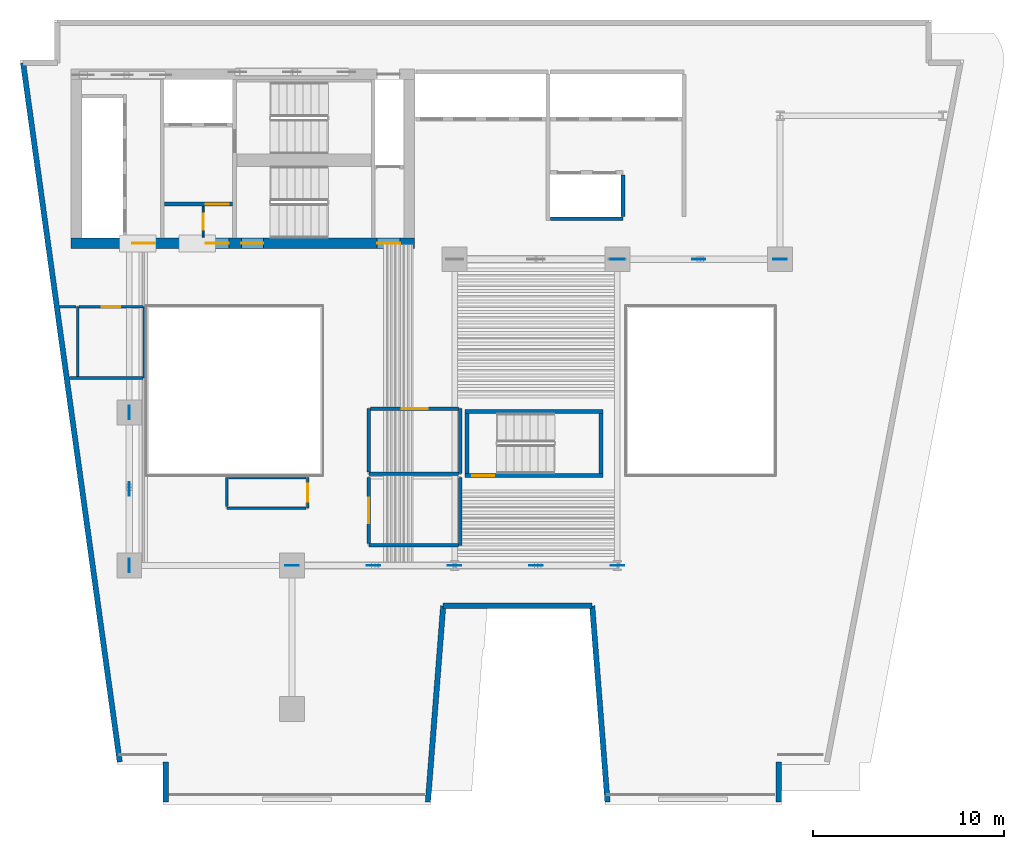
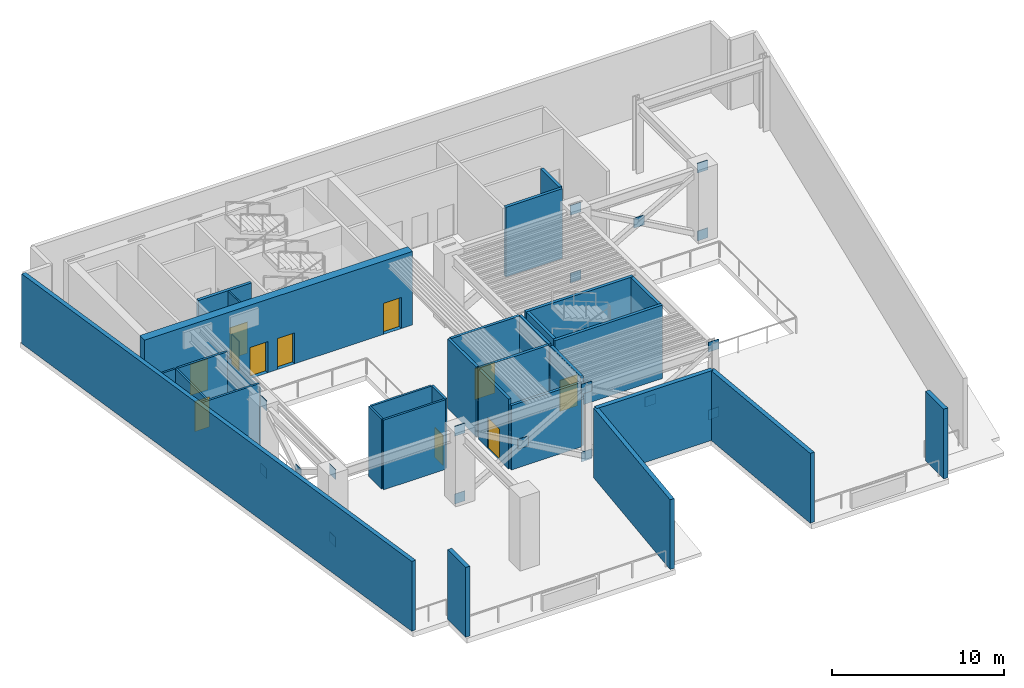
# One storey, part 3 of 8: 31 walls, 18 plates, 11 doors, 11 openings.
"""IFC4 building model written with IfcOpenShell, lengths in metres."""

from ifc_helpers import new_model, si_unit, direction, frame, frame_2d, origin, origin_2d, place, context, subcontext, project, spatial, rectangle, extrude, material, layer, layer_set, type_object, element, fill, save


model = new_model("IFC4")

# Units and contexts
model_context = context("Model", 3, precision=1e-05, world=origin(), true_north=direction((0.0, 1.0)))
body_context = subcontext(model_context, "Body", "Model", "MODEL_VIEW")
ifc_project = project(units=[si_unit("LENGTHUNIT", "METRE"), si_unit("AREAUNIT", "SQUARE_METRE"), si_unit("VOLUMEUNIT", "CUBIC_METRE"), si_unit("PLANEANGLEUNIT", "RADIAN"), si_unit("MASSUNIT", "GRAM", prefix="KILO")], contexts=[model_context])

# Site, building, storey
site_placement = place(None, origin())
site = spatial("IfcSite", under=ifc_project, at=site_placement, CompositionType="ELEMENT")
building_placement = place(site_placement, origin())
building = spatial("IfcBuilding", under=site, at=building_placement, Name="Caeloran Harvest Quay", CompositionType="ELEMENT")
storey_placement = place(building_placement, frame((0.0, 0.0, 106.199951171875)))
storey = spatial("IfcBuildingStorey", under=building, at=storey_placement, Name="L24", CompositionType="ELEMENT", Elevation=106.199951171875)

# Plates
ifc_material_1 = material(Name="Steel HISTAR 460", Category="steel")
ifc_layer_1 = layer(ifc_material_1, 0.034912109375, Name="Steel HISTAR 460")
ifc_layer_set_1 = layer_set([ifc_layer_1], Name="Steel HISTAR 460")
plate_type = type_object("IfcPlateType", Name="PLT-KN1-35MM", PredefinedType="SHEET", material=ifc_layer_set_1)
for number, where, z_axis, x_axis, name in (
    (1, (8.5, 15.0, -0.2900390625), (0.0, 0.0, 1.0), (0.0, 1.0, 0.0), "L24 Belt Truss Node and X-Crossing Plate BELT-W1 A-BOT"),
    (2, (8.5, 15.0, 4.51025390625), (0.0, 0.0, 1.0), (0.0, 1.0, 0.0), "L24 Belt Truss Node and X-Crossing Plate BELT-W1 A-TOP"),
    (3, (8.5, 19.0, 2.10986328125), (0.0, 0.0, 1.0), (0.0, 1.0, 0.0), "L24 Belt Truss Node and X-Crossing Plate BELT-W1 XMID"),
    (4, (8.5, 23.0, 4.51025390625), (0.0, 0.0, 1.0), (0.0, 1.0, 0.0), "L24 Belt Truss Node and X-Crossing Plate BELT-W1 B-TOP"),
    (5, (8.5, 23.0, -0.2900390625), (0.0, 0.0, 1.0), (0.0, 1.0, 0.0), "L24 Belt Truss Node and X-Crossing Plate BELT-W1 B-BOT"),
    (6, (17.0, 15.0, -0.2900390625), (0.0, 0.0, 1.0), (1.0, 0.0, 0.0), "L24 Belt Truss Node and X-Crossing Plate BELT-S2 A-BOT"),
    (7, (17.0, 15.0, 4.51025390625), (0.0, 0.0, 1.0), (1.0, 0.0, 0.0), "L24 Belt Truss Node and X-Crossing Plate BELT-S2 A-TOP"),
    (8, (21.25, 15.0, 2.10986328125), (0.0, 0.0, 1.0), (1.0, 0.0, 0.0), "L24 Belt Truss Node and X-Crossing Plate BELT-S2 XMID"),
    (9, (25.5, 15.0, 4.51025390625), (0.0, 0.0, 1.0), (1.0, 0.0, 0.0), "L24 Belt Truss Node and X-Crossing Plate BELT-S2 B-TOP"),
    (10, (25.5, 15.0, -0.2900390625), (0.0, 0.0, 1.0), (1.0, 0.0, 0.0), "L24 Belt Truss Node and X-Crossing Plate BELT-S2 B-BOT"),
    (11, (29.75, 15.0, 2.10986328125), (0.0, 0.0, 1.0), (1.0, 0.0, 0.0), "L24 Belt Truss Node and X-Crossing Plate BELT-S3 XMID"),
    (12, (34.0, 15.0, 4.51025390625), (0.0, 0.0, 1.0), (1.0, 0.0, 0.0), "L24 Belt Truss Node and X-Crossing Plate BELT-S3 B-TOP"),
    (13, (34.0, 15.0, -0.2900390625), (0.0, 0.0, 1.0), (1.0, 0.0, 0.0), "L24 Belt Truss Node and X-Crossing Plate BELT-S3 B-BOT"),
    (14, (34.0, 31.0, -0.2900390625), (0.0, 0.0, 1.0), (1.0, 0.0, 0.0), "L24 Belt Truss Node and X-Crossing Plate BELT-N2 A-BOT"),
    (15, (34.0, 31.0, 4.51025390625), (0.0, 0.0, 1.0), (1.0, 0.0, 0.0), "L24 Belt Truss Node and X-Crossing Plate BELT-N2 A-TOP"),
    (16, (38.25, 31.0, 2.10986328125), (0.0, 0.0, 1.0), (1.0, 0.0, 0.0), "L24 Belt Truss Node and X-Crossing Plate BELT-N2 XMID"),
    (17, (42.5, 31.0, 4.51025390625), (0.0, 0.0, 1.0), (1.0, 0.0, 0.0), "L24 Belt Truss Node and X-Crossing Plate BELT-N2 B-TOP"),
    (18, (42.5, 31.0, -0.2900390625), (0.0, 0.0, 1.0), (1.0, 0.0, 0.0), "L24 Belt Truss Node and X-Crossing Plate BELT-N2 B-BOT"),
):
    element("IfcPlate", number, at=place(storey_placement, frame(where, z_axis=z_axis, x_axis=x_axis)), inside=storey, type_object=plate_type, Name=name, PredefinedType="SHEET", context=body_context, shape_type="SweptSolid", body=[
        extrude(rectangle(XDim=0.699951171875, YDim=0.034912109375, at=origin_2d()), origin(), (0.0, 0.0, 1.0), 0.699951171875),
    ])

# Walls
ifc_material_2 = material(Name="Precast concrete C50/60", Category="concrete")
ifc_layer_2 = layer(ifc_material_2, 0.280029296875, Name="Precast concrete C50/60")
ifc_layer_set_2 = layer_set([ifc_layer_2], Name="Precast concrete C50/60")
wall_type_1 = type_object("IfcWallType", Name="ENV-WALL-EW-280", PredefinedType="STANDARD", material=ifc_layer_set_2)
wall_1_placement = place(storey_placement, frame((10.409912109375, 2.639892578125, 0.0), z_axis=(0.0, 0.0, 1.0), x_axis=(0.0, 1.0, 0.0)))
element("IfcWall", 19, at=wall_1_placement, inside=storey, type_object=wall_type_1, Name="L24 Exterior Precast Concrete Facade Wall 1", PredefinedType="STANDARD", context=body_context, shape_type="SweptSolid", body=[
    extrude(rectangle(XDim=2.10009765625, YDim=0.280029296875, at=frame_2d((1.050048828125, 0.0))), origin(), (0.0, 0.0, 1.0), 4.93994140625),
])
wall_2_placement = place(storey_placement, frame((8.001708984375, 4.739990234375, 0.0), z_axis=(0.0, 0.0, 1.0), x_axis=(-0.136991218313, 0.99057226193, 0.0)))
element("IfcWall", 20, at=wall_2_placement, inside=storey, type_object=wall_type_1, Name="L24 Exterior Precast Concrete Facade Wall 3", PredefinedType="STANDARD", context=body_context, shape_type="SweptSolid", body=[
    extrude(rectangle(XDim=36.86767578125, YDim=0.280029296875, at=frame_2d((18.433837890625, 0.0))), origin(), (0.0, 0.0, 1.0), 4.93994140625),
])
wall_3_placement = place(storey_placement, frame((42.429931640625, 4.739990234375, 0.0), z_axis=(0.0, 0.0, 1.0), x_axis=(0.0, -1.0, 0.0)))
element("IfcWall", 21, at=wall_3_placement, inside=storey, type_object=wall_type_1, Name="L24 Exterior Precast Concrete Facade Wall 11", PredefinedType="STANDARD", context=body_context, shape_type="SweptSolid", body=[
    extrude(rectangle(XDim=2.10009765625, YDim=0.280029296875, at=frame_2d((1.050048828125, 0.0))), origin(), (0.0, 0.0, 1.0), 4.93994140625),
])
wall_4_placement = place(storey_placement, frame((33.484619140625, 2.639892578125, 0.0), z_axis=(0.0, 0.0, 1.0), x_axis=(-0.077816860153, 0.996967670627, 0.0)))
element("IfcWall", 22, at=wall_4_placement, inside=storey, type_object=wall_type_1, Name="L24 Exterior Precast Concrete Facade Wall 13", PredefinedType="STANDARD", context=body_context, shape_type="SweptSolid", body=[
    extrude(rectangle(XDim=10.28125, YDim=0.280029296875, at=frame_2d((5.140625, 0.0))), origin(), (0.0, 0.0, 1.0), 4.93994140625),
])
wall_5_placement = place(storey_placement, frame((32.6845703125, 12.889892578125, 0.0), z_axis=(0.0, 0.0, 1.0), x_axis=(-1.0, 0.0, 0.0)))
element("IfcWall", 23, at=wall_5_placement, inside=storey, type_object=wall_type_1, Name="L24 Exterior Precast Concrete Facade Wall 14", PredefinedType="STANDARD", context=body_context, shape_type="SweptSolid", body=[
    extrude(rectangle(XDim=7.7841796875, YDim=0.280029296875, at=frame_2d((3.89208984375, 0.0))), origin(), (0.0, 0.0, 1.0), 4.93994140625),
])
wall_6_placement = place(storey_placement, frame((24.900390625, 12.889892578125, 0.0), z_axis=(0.0, 0.0, 1.0), x_axis=(-0.077793257511, -0.996969512616, 0.0)))
element("IfcWall", 24, at=wall_6_placement, inside=storey, type_object=wall_type_1, Name="L24 Exterior Precast Concrete Facade Wall 15", PredefinedType="STANDARD", context=body_context, shape_type="SweptSolid", body=[
    extrude(rectangle(XDim=10.28125, YDim=0.280029296875, at=frame_2d((5.140625, 0.0))), origin(), (0.0, 0.0, 1.0), 4.93994140625),
])

# Wall, opening, door
ifc_material_3 = material(Name="Fire-Resisting Gypsum Core Riser Partition", Category="gypsum")
ifc_layer_3 = layer(ifc_material_3, 0.10009765625, Name="Fire-Resisting Gypsum Core Riser Partition")
ifc_layer_set_3 = layer_set([ifc_layer_3], Name="Fire-Resisting Gypsum Core Riser Partition")
wall_type_2 = type_object("IfcWallType", Name="INT-WALL-PW-100", PredefinedType="PARTITIONING", material=ifc_layer_set_3)
wall_7_placement = place(storey_placement, frame((12.360107421875, 32.159912109375, 0.0), z_axis=(0.0, 0.0, 1.0), x_axis=(0.0, 1.0, 0.0)))
wall_7 = element("IfcWall", 25, at=wall_7_placement, inside=storey, type_object=wall_type_2, Name="L24 Core Store Partition Wall", PredefinedType="PARTITIONING", context=body_context, shape_type="SweptSolid", body=[
    extrude(rectangle(XDim=1.6201171875, YDim=0.10009765625, at=frame_2d((0.81005859375, 0.0))), origin(), (0.0, 0.0, 1.0), 4.93994140625),
])
opening_1_placement = place(wall_7_placement, frame((0.3798828125, 0.0, 0.0)))
opening_1 = element("IfcOpeningElement", 26, at=opening_1_placement, cuts=wall_7, Name="Opening SV-01", PredefinedType="OPENING", context=body_context, shape_type="SweptSolid", body=[
    extrude(rectangle(XDim=0.85009765625, YDim=2.10009765625, at=frame_2d((0.425048828125, 1.050048828125))), frame((0.0, 0.06005859375, 0.0), z_axis=(0.0, -1.0, 0.0), x_axis=(1.0, 0.0, 0.0)), (0.0, 0.0, 1.0), 0.1201171875),
])
ifc_material_4 = material(Name="Galvanized Painted Steel", Category="steel")
door_type_1 = type_object("IfcDoorType", Name="INTDOOR-SV-01", OperationType="NOTDEFINED", PredefinedType="DOOR", material=ifc_material_4)
door_1_placement = place(opening_1_placement, origin())
door_1 = element("IfcDoor", 27, at=door_1_placement, inside=storey, type_object=door_type_1, Name="L24 Core Service Room Access Door", OperationType="SINGLE_SWING_RIGHT", OverallHeight=2.10009765625, OverallWidth=0.85009765625, PredefinedType="DOOR", context=body_context, shape_type="SweptSolid", body=[
    extrude(rectangle(XDim=0.85009765625, YDim=2.10009765625, at=frame_2d((0.425048828125, 1.050048828125))), frame((0.0, 0.02490234375, 0.0), z_axis=(0.0, -1.0, 0.0), x_axis=(1.0, 0.0, 0.0)), (0.0, 0.0, 1.0), 0.050048828125),
])
fill(opening_1, door_1)

ifc_material_5 = material(Name="Moisture-Resistant Cement-Board Sanitary Partition", Category="gypsum")
ifc_layer_4 = layer(ifc_material_5, 0.139892578125, Name="Moisture-Resistant Cement-Board Sanitary Partition")
ifc_layer_set_4 = layer_set([ifc_layer_4], Name="Moisture-Resistant Cement-Board Sanitary Partition")
wall_type_3 = type_object("IfcWallType", Name="INT-WALL-PW-140", PredefinedType="PARTITIONING", material=ifc_layer_set_4)
wall_8_placement = place(storey_placement, frame((17.820068359375, 19.590087890625, 0.0), z_axis=(0.0, 0.0, 1.0), x_axis=(0.0, -1.0, 0.0)))
wall_8 = element("IfcWall", 28, at=wall_8_placement, inside=storey, type_object=wall_type_3, Name="L24 Refuge Male Washroom WC Partition Wall", PredefinedType="PARTITIONING", context=body_context, shape_type="SweptSolid", body=[
    extrude(rectangle(XDim=1.590087890625, YDim=0.139892578125, at=frame_2d((0.794921875, 0.0))), origin(), (0.0, 0.0, 1.0), 4.93994140625),
])
opening_2_placement = place(wall_8_placement, frame((0.320068359375, 0.0, 0.0)))
opening_2 = element("IfcOpeningElement", 29, at=opening_2_placement, cuts=wall_8, Name="Opening WC-01", PredefinedType="OPENING", context=body_context, shape_type="SweptSolid", body=[
    extrude(rectangle(XDim=0.949951171875, YDim=2.14990234375, at=frame_2d((0.47509765625, 1.074951171875))), frame((0.0, 0.080078125, 0.0), z_axis=(0.0, -1.0, 0.0), x_axis=(1.0, 0.0, 0.0)), (0.0, 0.0, 1.0), 0.159912109375),
])
ifc_material_6 = material(Name="High-Pressure Laminate Moisture-Resistant Timber", Category="wood")
door_type_2 = type_object("IfcDoorType", Name="INTDOOR-WC-01", OperationType="NOTDEFINED", PredefinedType="DOOR", material=ifc_material_6)
door_2_placement = place(opening_2_placement, origin())
door_2 = element("IfcDoor", 30, at=door_2_placement, inside=storey, type_object=door_type_2, Name="L24 Refuge Male Washroom WC Access Door", OperationType="SINGLE_SWING_LEFT", OverallHeight=2.14990234375, OverallWidth=0.949951171875, PredefinedType="DOOR", context=body_context, shape_type="SweptSolid", body=[
    extrude(rectangle(XDim=0.949951171875, YDim=2.14990234375, at=frame_2d((0.47509765625, 1.074951171875))), frame((0.0, 0.02490234375, 0.0), z_axis=(0.0, -1.0, 0.0), x_axis=(1.0, 0.0, 0.0)), (0.0, 0.0, 1.0), 0.050048828125),
])
fill(opening_2, door_2)

# Walls
wall_9_placement = place(storey_placement, frame((17.7451171875, 18.0, 0.0), z_axis=(0.0, 0.0, 1.0), x_axis=(-1.0, 0.0, 0.0)))
element("IfcWall", 31, at=wall_9_placement, inside=storey, type_object=wall_type_3, Name="L24 Refuge Male Washroom WC Partition Wall", PredefinedType="PARTITIONING", context=body_context, shape_type="SweptSolid", body=[
    extrude(rectangle(XDim=4.14501953125, YDim=0.139892578125, at=frame_2d((2.072509765625, 0.0))), origin(), (0.0, 0.0, 1.0), 4.93994140625),
])
wall_10_placement = place(storey_placement, frame((13.60009765625, 18.074951171875, 0.0), z_axis=(0.0, 0.0, 1.0), x_axis=(0.0, 1.0, 0.0)))
element("IfcWall", 32, at=wall_10_placement, inside=storey, type_object=wall_type_3, Name="L24 Refuge Male Washroom WC Partition Wall", PredefinedType="PARTITIONING", context=body_context, shape_type="SweptSolid", body=[
    extrude(rectangle(XDim=1.51513671875, YDim=0.139892578125, at=frame_2d((0.757568359375, 0.0))), origin(), (0.0, 0.0, 1.0), 4.93994140625),
])
wall_11_placement = place(storey_placement, frame((13.675048828125, 19.590087890625, 0.0), z_axis=(0.0, 0.0, 1.0), x_axis=(1.0, 0.0, 0.0)))
element("IfcWall", 33, at=wall_11_placement, inside=storey, type_object=wall_type_3, Name="L24 Refuge Male Washroom WC Partition Wall", PredefinedType="PARTITIONING", context=body_context, shape_type="SweptSolid", body=[
    extrude(rectangle(XDim=4.070068359375, YDim=0.139892578125, at=frame_2d((2.03515625, 0.0))), origin(), (0.0, 0.0, 1.0), 4.93994140625),
])
wall_12_placement = place(storey_placement, frame((9.2900390625, 28.52001953125, 0.0), z_axis=(0.0, 0.0, 1.0), x_axis=(0.0, -1.0, 0.0)))
element("IfcWall", 34, at=wall_12_placement, inside=storey, type_object=wall_type_3, Name="L24 Refuge Accessible Unisex Washroom WC Partition Wall", PredefinedType="PARTITIONING", context=body_context, shape_type="SweptSolid", body=[
    extrude(rectangle(XDim=3.719970703125, YDim=0.139892578125, at=frame_2d((1.85986328125, 0.0))), origin(), (0.0, 0.0, 1.0), 4.56494140625),
])
wall_13_placement = place(storey_placement, frame((9.215087890625, 24.800048828125, 0.0), z_axis=(0.0, 0.0, 1.0), x_axis=(-1.0, 0.0, 0.0)))
element("IfcWall", 35, at=wall_13_placement, inside=storey, type_object=wall_type_3, Name="L24 Refuge Accessible Unisex Washroom WC Partition Wall", PredefinedType="PARTITIONING", context=body_context, shape_type="SweptSolid", body=[
    extrude(rectangle(XDim=3.84130859375, YDim=0.139892578125, at=frame_2d((1.920654296875, 0.0))), origin(), (0.0, 0.0, 1.0), 4.93994140625),
])
wall_14_placement = place(storey_placement, frame((5.800048828125, 24.875, 0.0), z_axis=(0.0, 0.0, 1.0), x_axis=(0.0, 1.0, 0.0)))
element("IfcWall", 36, at=wall_14_placement, inside=storey, type_object=wall_type_3, Name="L24 Refuge Accessible Unisex Washroom WC Partition Wall", PredefinedType="PARTITIONING", context=body_context, shape_type="SweptSolid", body=[
    extrude(rectangle(XDim=3.64501953125, YDim=0.139892578125, at=frame_2d((1.822509765625, 0.0))), origin(), (0.0, 0.0, 1.0), 4.93994140625),
])
wall_15_placement = place(storey_placement, frame((4.859375, 28.52001953125, 0.0), z_axis=(0.0, 0.0, 1.0), x_axis=(1.0, 0.0, 0.0)))
element("IfcWall", 37, at=wall_15_placement, inside=storey, type_object=wall_type_3, Name="L24 Refuge Accessible Unisex Washroom WC Partition Wall", PredefinedType="PARTITIONING", context=body_context, shape_type="SweptSolid", body=[
    extrude(rectangle(XDim=0.86572265625, YDim=0.139892578125, at=frame_2d((0.432861328125, 0.0))), origin(), (0.0, 0.0, 1.0), 4.93994140625),
])

# Wall, opening, door
wall_16_placement = place(storey_placement, frame((5.875, 28.52001953125, 0.0), z_axis=(0.0, 0.0, 1.0), x_axis=(1.0, 0.0, 0.0)))
wall_16 = element("IfcWall", 38, at=wall_16_placement, inside=storey, type_object=wall_type_3, Name="L24 Refuge Accessible Unisex Washroom WC Partition Wall", PredefinedType="PARTITIONING", context=body_context, shape_type="SweptSolid", body=[
    extrude(rectangle(XDim=3.340087890625, YDim=0.139892578125, at=frame_2d((1.669921875, 0.0))), origin(), (0.0, 0.0, 1.0), 4.93994140625),
])
opening_3_placement = place(wall_16_placement, frame((1.195068359375, 0.0, 0.0)))
opening_3 = element("IfcOpeningElement", 39, at=opening_3_placement, cuts=wall_16, Name="Opening WC-01", PredefinedType="OPENING", context=body_context, shape_type="SweptSolid", body=[
    extrude(rectangle(XDim=0.949951171875, YDim=2.14990234375, at=frame_2d((0.47509765625, 1.074951171875))), frame((0.0, 0.080078125, 0.0), z_axis=(0.0, -1.0, 0.0), x_axis=(1.0, 0.0, 0.0)), (0.0, 0.0, 1.0), 0.159912109375),
])
door_3_placement = place(opening_3_placement, origin())
door_3 = element("IfcDoor", 40, at=door_3_placement, inside=storey, type_object=door_type_2, Name="L24 Refuge Accessible Unisex Washroom WC Access Door", OperationType="SINGLE_SWING_RIGHT", OverallHeight=2.14990234375, OverallWidth=0.949951171875, PredefinedType="DOOR", context=body_context, shape_type="SweptSolid", body=[
    extrude(rectangle(XDim=0.949951171875, YDim=2.14990234375, at=frame_2d((0.47509765625, 1.074951171875))), frame((0.0, 0.02490234375, 0.0), z_axis=(0.0, -1.0, 0.0), x_axis=(1.0, 0.0, 0.0)), (0.0, 0.0, 1.0), 0.050048828125),
])
fill(opening_3, door_3)

# Walls
ifc_material_7 = material(Name="Autoclaved Aerated Concrete Blockwork", Category="masonry")
ifc_layer_5 = layer(ifc_material_7, 0.179931640625, Name="Autoclaved Aerated Concrete Blockwork")
ifc_layer_set_5 = layer_set([ifc_layer_5], Name="Autoclaved Aerated Concrete Blockwork")
wall_type_4 = type_object("IfcWallType", Name="INT-WALL-PW-180", PredefinedType="PARTITIONING", material=ifc_layer_set_5)
wall_17_placement = place(storey_placement, frame((25.800048828125, 23.199951171875, 0.0), z_axis=(0.0, 0.0, 1.0), x_axis=(0.0, -1.0, 0.0)))
element("IfcWall", 41, at=wall_17_placement, inside=storey, type_object=wall_type_4, Name="L24 Dedicated Outdoor Air Handling and Dehumidification Plant Room Partition Wall", PredefinedType="PARTITIONING", context=body_context, shape_type="SweptSolid", body=[
    extrude(rectangle(XDim=3.39990234375, YDim=0.179931640625, at=frame_2d((1.699951171875, 0.0))), origin(), (0.0, 0.0, 1.0), 4.93994140625),
])
wall_18_placement = place(storey_placement, frame((25.705078125, 19.800048828125, 0.0), z_axis=(0.0, 0.0, 1.0), x_axis=(-1.0, 0.0, 0.0)))
element("IfcWall", 42, at=wall_18_placement, inside=storey, type_object=wall_type_4, Name="L24 Dedicated Outdoor Air Handling and Dehumidification Plant Room Partition Wall", PredefinedType="PARTITIONING", context=body_context, shape_type="SweptSolid", body=[
    extrude(rectangle(XDim=4.68505859375, YDim=0.179931640625, at=frame_2d((2.342529296875, 0.0))), origin(), (0.0, 0.0, 1.0), 4.93994140625),
])
wall_19_placement = place(storey_placement, frame((21.02001953125, 19.89501953125, 0.0), z_axis=(0.0, 0.0, 1.0), x_axis=(0.0, 1.0, 0.0)))
element("IfcWall", 43, at=wall_19_placement, inside=storey, type_object=wall_type_4, Name="L24 Dedicated Outdoor Air Handling and Dehumidification Plant Room Partition Wall", PredefinedType="PARTITIONING", context=body_context, shape_type="SweptSolid", body=[
    extrude(rectangle(XDim=3.304931640625, YDim=0.179931640625, at=frame_2d((1.65234375, 0.0))), origin(), (0.0, 0.0, 1.0), 4.93994140625),
])

# Wall, opening, door
wall_20_placement = place(storey_placement, frame((21.114990234375, 23.199951171875, 0.0), z_axis=(0.0, 0.0, 1.0), x_axis=(1.0, 0.0, 0.0)))
wall_20 = element("IfcWall", 44, at=wall_20_placement, inside=storey, type_object=wall_type_4, Name="L24 Dedicated Outdoor Air Handling and Dehumidification Plant Room Partition Wall", PredefinedType="PARTITIONING", context=body_context, shape_type="SweptSolid", body=[
    extrude(rectangle(XDim=4.590087890625, YDim=0.179931640625, at=frame_2d((2.294921875, 0.0))), origin(), (0.0, 0.0, 1.0), 4.93994140625),
])
opening_4_placement = place(wall_20_placement, frame((1.6201171875, 0.0, 0.0)))
opening_4 = element("IfcOpeningElement", 45, at=opening_4_placement, cuts=wall_20, Name="Opening ID-02", PredefinedType="OPENING", context=body_context, shape_type="SweptSolid", body=[
    extrude(rectangle(XDim=1.35009765625, YDim=2.199951171875, at=frame_2d((0.675048828125, 1.10009765625))), frame((0.0, 0.10009765625, 0.0), z_axis=(0.0, -1.0, 0.0), x_axis=(1.0, 0.0, 0.0)), (0.0, 0.0, 1.0), 0.199951171875),
])
ifc_material_8 = material(Name="Powder-Coated Steel Acoustic Leaf", Category="steel")
door_type_3 = type_object("IfcDoorType", Name="INTDOOR-ID-02", OperationType="NOTDEFINED", PredefinedType="DOOR", material=ifc_material_8)
door_4_placement = place(opening_4_placement, origin())
door_4 = element("IfcDoor", 46, at=door_4_placement, inside=storey, type_object=door_type_3, Name="L24 Dedicated Outdoor Air Handling and Dehumidification Plant Room Access Door", OperationType="SINGLE_SWING_LEFT", OverallHeight=2.199951171875, OverallWidth=1.35009765625, PredefinedType="DOOR", context=body_context, shape_type="SweptSolid", body=[
    extrude(rectangle(XDim=1.35009765625, YDim=2.199951171875, at=frame_2d((0.675048828125, 1.10009765625))), frame((0.0, 0.02490234375, 0.0), z_axis=(0.0, -1.0, 0.0), x_axis=(1.0, 0.0, 0.0)), (0.0, 0.0, 1.0), 0.050048828125),
])
fill(opening_4, door_4)

# Walls
wall_21_placement = place(storey_placement, frame((25.800048828125, 19.60009765625, 0.0), z_axis=(0.0, 0.0, 1.0), x_axis=(0.0, -1.0, 0.0)))
element("IfcWall", 47, at=wall_21_placement, inside=storey, type_object=wall_type_4, Name="L24 Zone Chilled-Water Heat Exchanger and Pump Plant Room Partition Wall", PredefinedType="PARTITIONING", context=body_context, shape_type="SweptSolid", body=[
    extrude(rectangle(XDim=3.550048828125, YDim=0.179931640625, at=frame_2d((1.77490234375, 0.0))), origin(), (0.0, 0.0, 1.0), 4.93994140625),
])
wall_22_placement = place(storey_placement, frame((25.705078125, 16.050048828125, 0.0), z_axis=(0.0, 0.0, 1.0), x_axis=(-1.0, 0.0, 0.0)))
element("IfcWall", 48, at=wall_22_placement, inside=storey, type_object=wall_type_4, Name="L24 Zone Chilled-Water Heat Exchanger and Pump Plant Room Partition Wall", PredefinedType="PARTITIONING", context=body_context, shape_type="SweptSolid", body=[
    extrude(rectangle(XDim=4.68505859375, YDim=0.179931640625, at=frame_2d((2.342529296875, 0.0))), origin(), (0.0, 0.0, 1.0), 4.56494140625),
])

# Wall, opening, door
wall_23_placement = place(storey_placement, frame((21.02001953125, 16.14501953125, 0.0), z_axis=(0.0, 0.0, 1.0), x_axis=(0.0, 1.0, 0.0)))
wall_23 = element("IfcWall", 49, at=wall_23_placement, inside=storey, type_object=wall_type_4, Name="L24 Zone Chilled-Water Heat Exchanger and Pump Plant Room Partition Wall", PredefinedType="PARTITIONING", context=body_context, shape_type="SweptSolid", body=[
    extrude(rectangle(XDim=3.455078125, YDim=0.179931640625, at=frame_2d((1.7275390625, 0.0))), origin(), (0.0, 0.0, 1.0), 4.93994140625),
])
opening_5_placement = place(wall_23_placement, frame((1.052490234375, 0.0, 0.0)))
opening_5 = element("IfcOpeningElement", 50, at=opening_5_placement, cuts=wall_23, Name="Opening ID-02", PredefinedType="OPENING", context=body_context, shape_type="SweptSolid", body=[
    extrude(rectangle(XDim=1.35009765625, YDim=2.199951171875, at=frame_2d((0.675048828125, 1.10009765625))), frame((0.0, 0.10009765625, 0.0), z_axis=(0.0, -1.0, 0.0), x_axis=(1.0, 0.0, 0.0)), (0.0, 0.0, 1.0), 0.199951171875),
])
door_5_placement = place(opening_5_placement, origin())
door_5 = element("IfcDoor", 51, at=door_5_placement, inside=storey, type_object=door_type_3, Name="L24 Zone Chilled-Water Heat Exchanger and Pump Plant Room Access Door", OperationType="SINGLE_SWING_RIGHT", OverallHeight=2.199951171875, OverallWidth=1.35009765625, PredefinedType="DOOR", context=body_context, shape_type="SweptSolid", body=[
    extrude(rectangle(XDim=1.35009765625, YDim=2.199951171875, at=frame_2d((0.675048828125, 1.10009765625))), frame((0.0, 0.02490234375, 0.0), z_axis=(0.0, -1.0, 0.0), x_axis=(1.0, 0.0, 0.0)), (0.0, 0.0, 1.0), 0.050048828125),
])
fill(opening_5, door_5)

ifc_material_9 = material(Name="Concrete C50/60", Category="concrete")
ifc_layer_6 = layer(ifc_material_9, 0.199951171875, Name="Concrete C50/60")
ifc_layer_set_6 = layer_set([ifc_layer_6], Name="Concrete C50/60")
wall_type_5 = type_object("IfcWallType", Name="INT-WALL-SW-200", PredefinedType="PARTITIONING", material=ifc_layer_set_6)
wall_24_placement = place(storey_placement, frame((10.340087890625, 33.8798828125, 0.0), z_axis=(0.0, 0.0, 1.0), x_axis=(1.0, 0.0, 0.0)))
wall_24 = element("IfcWall", 52, at=wall_24_placement, inside=storey, type_object=wall_type_5, Name="L24 Firefighting Lift Lobby Enclosure Wall", PredefinedType="PARTITIONING", context=body_context, shape_type="SweptSolid", body=[
    extrude(rectangle(XDim=3.559814453125, YDim=0.199951171875, at=frame_2d((1.77978515625, 0.0))), origin(), (0.0, 0.0, 1.0), 4.93994140625),
])
opening_6_placement = place(wall_24_placement, frame((2.14990234375, 0.0, 0.0)))
opening_6 = element("IfcOpeningElement", 53, at=opening_6_placement, cuts=wall_24, Name="Opening FD-01", PredefinedType="OPENING", context=body_context, shape_type="SweptSolid", body=[
    extrude(rectangle(XDim=1.199951171875, YDim=2.199951171875, at=frame_2d((0.60009765625, 1.10009765625))), frame((0.0, 0.10986328125, 0.0), z_axis=(0.0, -1.0, 0.0), x_axis=(1.0, 0.0, 0.0)), (0.0, 0.0, 1.0), 0.219970703125),
])
ifc_material_10 = material(Name="Steel", Category="steel")
door_type_4 = type_object("IfcDoorType", Name="INTDOOR-FD-01", OperationType="NOTDEFINED", PredefinedType="DOOR", material=ifc_material_10)
door_6_placement = place(opening_6_placement, origin())
door_6 = element("IfcDoor", 54, at=door_6_placement, inside=storey, type_object=door_type_4, Name="L24 Firefighting Lift Lobby Smoke-Seal Fire Door", OperationType="SINGLE_SWING_LEFT", OverallHeight=2.199951171875, OverallWidth=1.199951171875, PredefinedType="DOOR", context=body_context, shape_type="SweptSolid", body=[
    extrude(rectangle(XDim=1.199951171875, YDim=2.199951171875, at=frame_2d((0.60009765625, 1.10009765625))), frame((0.0, 0.02490234375, 0.0), z_axis=(0.0, -1.0, 0.0), x_axis=(1.0, 0.0, 0.0)), (0.0, 0.0, 1.0), 0.050048828125),
])
fill(opening_6, door_6)

# Walls
wall_25_placement = place(storey_placement, frame((30.5, 33.1201171875, 0.0), z_axis=(0.0, 0.0, 1.0), x_axis=(1.0, 0.0, 0.0)))
element("IfcWall", 55, at=wall_25_placement, inside=storey, type_object=wall_type_5, Name="L24 Shuttle Lift Shaft South Wall", PredefinedType="PARTITIONING", context=body_context, shape_type="SweptSolid", body=[
    extrude(rectangle(XDim=3.800048828125, YDim=0.199951171875, at=frame_2d((1.89990234375, 0.0))), origin(), (0.0, 0.0, 1.0), 4.93994140625),
])
wall_26_placement = place(storey_placement, frame((34.300048828125, 33.239990234375, 0.0), z_axis=(0.0, 0.0, 1.0), x_axis=(0.0, 1.0, 0.0)))
element("IfcWall", 56, at=wall_26_placement, inside=storey, type_object=wall_type_5, Name="L24 Shuttle Lift Shaft East Wall", PredefinedType="PARTITIONING", context=body_context, shape_type="SweptSolid", body=[
    extrude(rectangle(XDim=2.169921875, YDim=0.199951171875, at=frame_2d((1.0849609375, 0.0))), origin(), (0.0, 0.0, 1.0), 4.93994140625),
])

# Wall, openings, doors
ifc_material_11 = material(Name="Concrete C80/95", Category="concrete")
ifc_layer_7 = layer(ifc_material_11, 0.550048828125, Name="Concrete C80/95")
ifc_layer_set_7 = layer_set([ifc_layer_7], Name="Concrete C80/95")
wall_type_6 = type_object("IfcWallType", Name="STR-WALL-CW-550", PredefinedType="SHEAR", material=ifc_layer_set_7)
wall_27_placement = place(storey_placement, frame((5.449951171875, 31.824951171875, 0.0), z_axis=(0.0, 0.0, 1.0), x_axis=(1.0, 0.0, 0.0)))
wall_27 = element("IfcWall", 57, at=wall_27_placement, inside=storey, type_object=wall_type_6, Name="L24 Rear Core Shear Wall S", PredefinedType="SHEAR", context=body_context, shape_type="SweptSolid", body=[
    extrude(rectangle(XDim=17.949951171875, YDim=0.550048828125, at=frame_2d((8.97509765625, 0.0))), origin(), (0.0, 0.0, 1.0), 5.199951171875),
])
opening_7_placement = place(wall_27_placement, frame((3.199951171875, 0.0, 0.0)))
opening_7 = element("IfcOpeningElement", 58, at=opening_7_placement, cuts=wall_27, Name="Opening FD-01", PredefinedType="OPENING", context=body_context, shape_type="SweptSolid", body=[
    extrude(rectangle(XDim=1.199951171875, YDim=2.199951171875, at=frame_2d((0.60009765625, 1.10009765625))), frame((0.0, 0.28515625, 0.0), z_axis=(0.0, -1.0, 0.0), x_axis=(1.0, 0.0, 0.0)), (0.0, 0.0, 1.0), 0.570068359375),
])
opening_8_placement = place(wall_27_placement, frame((7.050048828125, 0.0, 0.0)))
opening_8 = element("IfcOpeningElement", 59, at=opening_8_placement, cuts=wall_27, Name="Opening FD-01", PredefinedType="OPENING", context=body_context, shape_type="SweptSolid", body=[
    extrude(rectangle(XDim=1.199951171875, YDim=2.199951171875, at=frame_2d((0.60009765625, 1.10009765625))), frame((0.0, 0.28515625, 0.0), z_axis=(0.0, -1.0, 0.0), x_axis=(1.0, 0.0, 0.0)), (0.0, 0.0, 1.0), 0.570068359375),
])
opening_9_placement = place(wall_27_placement, frame((8.89990234375, 0.0, 0.0)))
opening_9 = element("IfcOpeningElement", 60, at=opening_9_placement, cuts=wall_27, Name="Opening SD-01", PredefinedType="OPENING", context=body_context, shape_type="SweptSolid", body=[
    extrude(rectangle(XDim=1.14990234375, YDim=2.199951171875, at=frame_2d((0.574951171875, 1.10009765625))), frame((0.0, 0.28515625, 0.0), z_axis=(0.0, -1.0, 0.0), x_axis=(1.0, 0.0, 0.0)), (0.0, 0.0, 1.0), 0.570068359375),
])
opening_10_placement = place(wall_27_placement, frame((16.0, 0.0, 0.0)))
opening_10 = element("IfcOpeningElement", 61, at=opening_10_placement, cuts=wall_27, Name="Opening FD-01", PredefinedType="OPENING", context=body_context, shape_type="SweptSolid", body=[
    extrude(rectangle(XDim=1.199951171875, YDim=2.199951171875, at=frame_2d((0.60009765625, 1.10009765625))), frame((0.0, 0.28515625, 0.0), z_axis=(0.0, -1.0, 0.0), x_axis=(1.0, 0.0, 0.0)), (0.0, 0.0, 1.0), 0.570068359375),
])
door_7_placement = place(opening_7_placement, origin())
door_7 = element("IfcDoor", 62, at=door_7_placement, inside=storey, type_object=door_type_4, Name="L24 High-Rise Lift Lobby Fire Door", OperationType="SINGLE_SWING_LEFT", OverallHeight=2.199951171875, OverallWidth=1.199951171875, PredefinedType="DOOR", context=body_context, shape_type="SweptSolid", body=[
    extrude(rectangle(XDim=1.199951171875, YDim=2.199951171875, at=frame_2d((0.60009765625, 1.10009765625))), frame((0.0, 0.02490234375, 0.0), z_axis=(0.0, -1.0, 0.0), x_axis=(1.0, 0.0, 0.0)), (0.0, 0.0, 1.0), 0.050048828125),
])
fill(opening_7, door_7)
door_8_placement = place(opening_8_placement, origin())
door_8 = element("IfcDoor", 63, at=door_8_placement, inside=storey, type_object=door_type_4, Name="L24 Firefighting Lobby Vestibule Fire Door", OperationType="SINGLE_SWING_RIGHT", OverallHeight=2.199951171875, OverallWidth=1.199951171875, PredefinedType="DOOR", context=body_context, shape_type="SweptSolid", body=[
    extrude(rectangle(XDim=1.199951171875, YDim=2.199951171875, at=frame_2d((0.60009765625, 1.10009765625))), frame((0.0, 0.02490234375, 0.0), z_axis=(0.0, -1.0, 0.0), x_axis=(1.0, 0.0, 0.0)), (0.0, 0.0, 1.0), 0.050048828125),
])
fill(opening_8, door_8)
door_9_placement = place(opening_10_placement, origin())
door_9 = element("IfcDoor", 64, at=door_9_placement, inside=storey, type_object=door_type_4, Name="L24 Service Lift Lobby Fire Door", OperationType="SINGLE_SWING_RIGHT", OverallHeight=2.199951171875, OverallWidth=1.199951171875, PredefinedType="DOOR", context=body_context, shape_type="SweptSolid", body=[
    extrude(rectangle(XDim=1.199951171875, YDim=2.199951171875, at=frame_2d((0.60009765625, 1.10009765625))), frame((0.0, 0.02490234375, 0.0), z_axis=(0.0, -1.0, 0.0), x_axis=(1.0, 0.0, 0.0)), (0.0, 0.0, 1.0), 0.050048828125),
])
fill(opening_10, door_9)
door_type_5 = type_object("IfcDoorType", Name="INTDOOR-SD-01", OperationType="NOTDEFINED", PredefinedType="DOOR", material=ifc_material_10)
door_10_placement = place(opening_9_placement, origin())
door_10 = element("IfcDoor", 65, at=door_10_placement, inside=storey, type_object=door_type_5, Name="L24 Protected Stair ST-C2 Exit Door", OperationType="SINGLE_SWING_LEFT", OverallHeight=2.199951171875, OverallWidth=1.14990234375, PredefinedType="DOOR", context=body_context, shape_type="SweptSolid", body=[
    extrude(rectangle(XDim=1.14990234375, YDim=2.199951171875, at=frame_2d((0.574951171875, 1.10009765625))), frame((0.0, 0.02490234375, 0.0), z_axis=(0.0, -1.0, 0.0), x_axis=(1.0, 0.0, 0.0)), (0.0, 0.0, 1.0), 0.050048828125),
])
fill(opening_9, door_10)

# Wall, opening, door
ifc_material_12 = material(Name="Concrete C60/75", Category="concrete")
ifc_layer_8 = layer(ifc_material_12, 0.199951171875, Name="Concrete C60/75")
ifc_layer_set_8 = layer_set([ifc_layer_8], Name="Concrete C60/75")
wall_type_7 = type_object("IfcWallType", Name="STR-WALL-SW-200", PredefinedType="SHEAR", material=ifc_layer_set_8)
wall_28_placement = place(storey_placement, frame((26.050048828125, 19.699951171875, 0.0), z_axis=(0.0, 0.0, 1.0), x_axis=(1.0, 0.0, 0.0)))
wall_28 = element("IfcWall", 66, at=wall_28_placement, inside=storey, type_object=wall_type_7, Name="L24 Stair ST-W1 S RC Shaft Shear Wall", PredefinedType="SHEAR", context=body_context, shape_type="SweptSolid", body=[
    extrude(rectangle(XDim=7.199951171875, YDim=0.199951171875, at=frame_2d((3.60009765625, 0.0))), origin(), (0.0, 0.0, 1.0), 5.199951171875),
])
opening_11_placement = place(wall_28_placement, frame((0.3798828125, 0.0, 0.0)))
opening_11 = element("IfcOpeningElement", 67, at=opening_11_placement, cuts=wall_28, Name="Opening SD-01", PredefinedType="OPENING", context=body_context, shape_type="SweptSolid", body=[
    extrude(rectangle(XDim=1.14990234375, YDim=2.199951171875, at=frame_2d((0.574951171875, 1.10009765625))), frame((0.0, 0.10986328125, 0.0), z_axis=(0.0, -1.0, 0.0), x_axis=(1.0, 0.0, 0.0)), (0.0, 0.0, 1.0), 0.219970703125),
])
door_11_placement = place(opening_11_placement, origin())
door_11 = element("IfcDoor", 68, at=door_11_placement, inside=storey, type_object=door_type_5, Name="L24 Protected Exit Stair ST-W1 Fire Door", OperationType="SINGLE_SWING_RIGHT", OverallHeight=2.199951171875, OverallWidth=1.14990234375, PredefinedType="DOOR", context=body_context, shape_type="SweptSolid", body=[
    extrude(rectangle(XDim=1.14990234375, YDim=2.199951171875, at=frame_2d((0.574951171875, 1.10009765625))), frame((0.0, 0.02490234375, 0.0), z_axis=(0.0, -1.0, 0.0), x_axis=(1.0, 0.0, 0.0)), (0.0, 0.0, 1.0), 0.050048828125),
])
fill(opening_11, door_11)

# Walls
wall_29_placement = place(storey_placement, frame((26.050048828125, 23.050048828125, 0.0), z_axis=(0.0, 0.0, 1.0), x_axis=(1.0, 0.0, 0.0)))
element("IfcWall", 69, at=wall_29_placement, inside=storey, type_object=wall_type_7, Name="L24 Stair ST-W1 N RC Shaft Shear Wall", PredefinedType="SHEAR", context=body_context, shape_type="SweptSolid", body=[
    extrude(rectangle(XDim=7.199951171875, YDim=0.199951171875, at=frame_2d((3.60009765625, 0.0))), origin(), (0.0, 0.0, 1.0), 5.199951171875),
])
for number, where, z_axis, x_axis, name in (
    (70, (26.14990234375, 19.81005859375, 0.0), (0.0, 0.0, 1.0), (0.0, 1.0, 0.0), "L24 Stair ST-W1 W RC Shaft Shear Wall"),
    (71, (33.14990234375, 19.81005859375, 0.0), (0.0, 0.0, 1.0), (0.0, 1.0, 0.0), "L24 Stair ST-W1 E RC Shaft Shear Wall"),
):
    element("IfcWall", number, at=place(storey_placement, frame(where, z_axis=z_axis, x_axis=x_axis)), inside=storey, type_object=wall_type_7, Name=name, PredefinedType="SHEAR", context=body_context, shape_type="SweptSolid", body=[
        extrude(rectangle(XDim=3.1298828125, YDim=0.199951171875, at=frame_2d((1.56494140625, 0.0))), origin(), (0.0, 0.0, 1.0), 5.199951171875),
    ])

save(model, "model.ifc")
